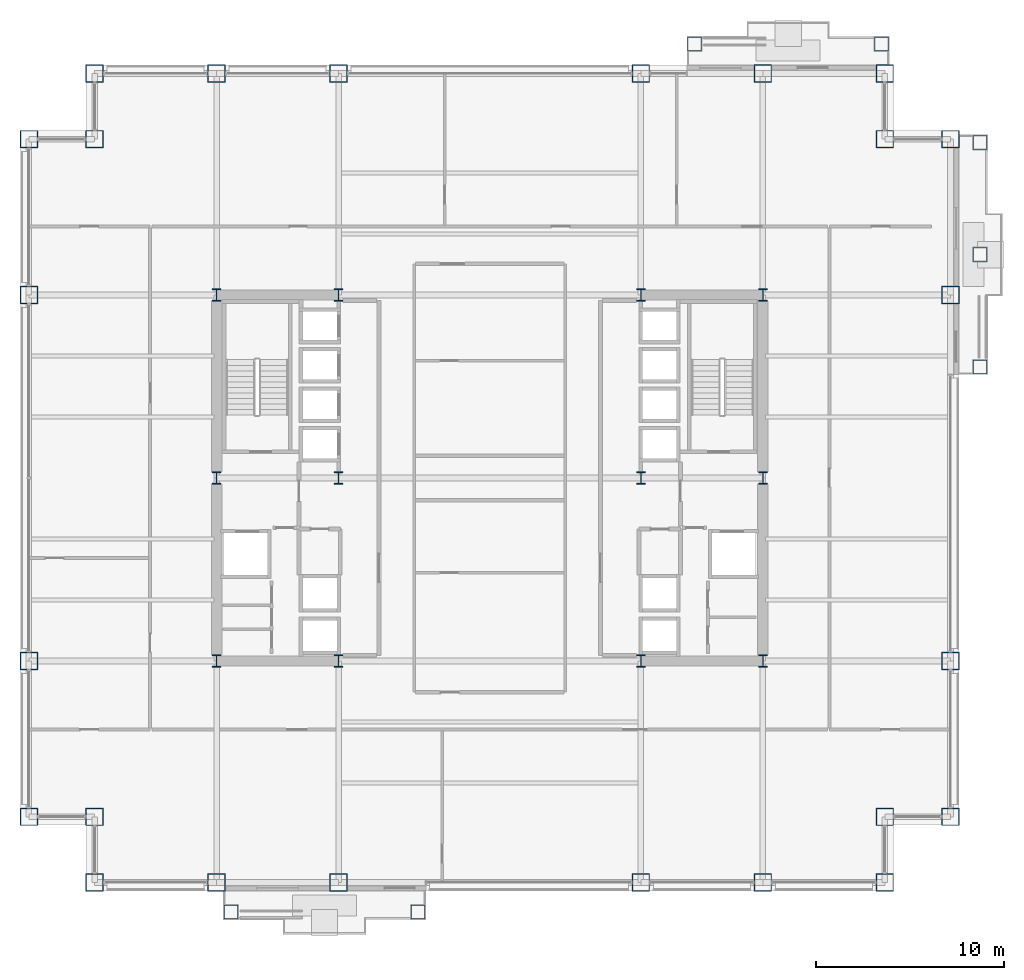
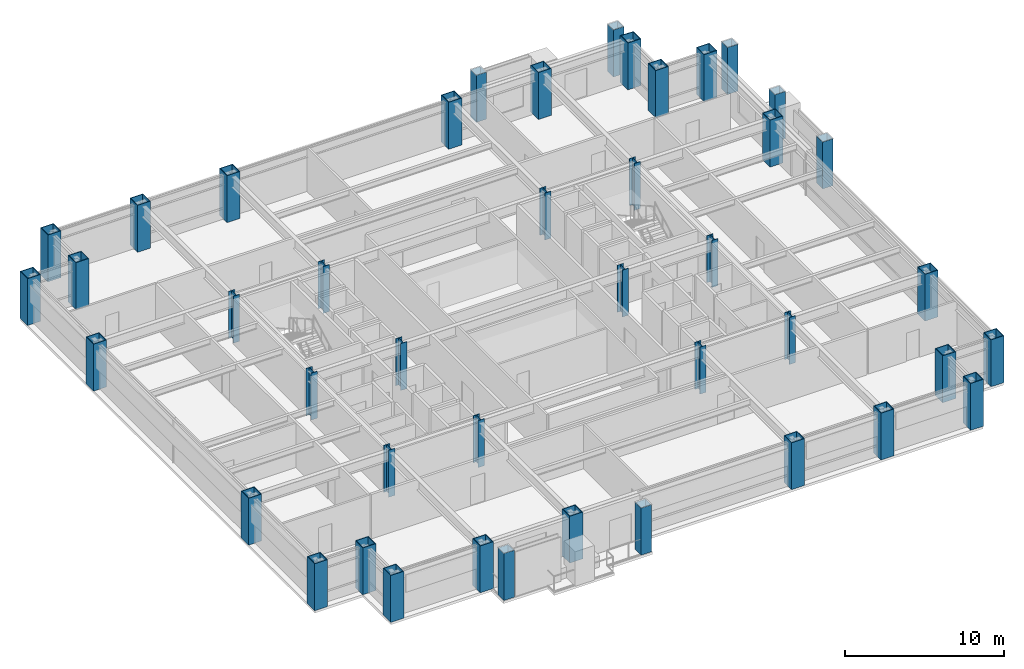
# One storey, part 1 of 31: 43 columns.
"""IFC4 building model written with IfcOpenShell, lengths in metres."""

from ifc_helpers import new_model, si_unit, direction, frame, origin, origin_2d, place, context, subcontext, project, spatial, hollow_rectangle, i_section, extrude, material, material_profile, profile_set, type_object, element, save


model = new_model("IFC4")

# Units and contexts
model_context = context("Model", 3, precision=1e-05, world=origin(), true_north=direction((0.0, 1.0)))
body_context = subcontext(model_context, "Body", "Model", "MODEL_VIEW")
ifc_project = project(units=[si_unit("LENGTHUNIT", "METRE"), si_unit("AREAUNIT", "SQUARE_METRE"), si_unit("VOLUMEUNIT", "CUBIC_METRE"), si_unit("PLANEANGLEUNIT", "RADIAN"), si_unit("MASSUNIT", "GRAM", prefix="KILO")], contexts=[model_context])

# Site, building, storey
site_placement = place(None, origin())
site = spatial("IfcSite", under=ifc_project, at=site_placement, CompositionType="ELEMENT")
building_placement = place(site_placement, origin())
building = spatial("IfcBuilding", under=site, at=building_placement, Name="Brelmoor Portico Tower", CompositionType="ELEMENT")
storey_placement = place(building_placement, frame((0.0, 0.0, 42.0)))
storey = spatial("IfcBuildingStorey", under=building, at=storey_placement, Name="L10", CompositionType="ELEMENT", Elevation=42.0)

# Columns
ifc_material_1 = material(Name="Steel Q355B", Category="steel")
ifc_material_profile_1 = material_profile(ifc_material_1, hollow_rectangle(XDim=0.75, YDim=0.75, WallThickness=0.031982421875, at=origin_2d()), Name="BOX 750x750x32")
ifc_profile_set_1 = profile_set([ifc_material_profile_1], Name="Steel Q355B")
column_type_1 = type_object("IfcColumnType", Name="COL-MEGA-750", PredefinedType="COLUMN", material=ifc_profile_set_1)
for number, where, z_axis, x_axis, name in (
    (1, (-13.780029296875, -23.1298828125, 0.0), (0.0, 0.0, 1.0), (1.0, 0.0, 0.0), "L10 Proud Picture-Frame Pier PFJ-S1"),
    (2, (-3.820068359375, -23.1298828125, 0.0), (0.0, 0.0, 1.0), (1.0, 0.0, 0.0), "L10 Proud Picture-Frame Pier PFJ-S2"),
    (3, (10.919921875, 23.1298828125, 0.0), (0.0, 0.0, 1.0), (1.0, 0.0, 0.0), "L10 Proud Picture-Frame Pier PFJ-N1"),
    (4, (20.8798828125, 23.1298828125, 0.0), (0.0, 0.0, 1.0), (1.0, 0.0, 0.0), "L10 Proud Picture-Frame Pier PFJ-N2"),
    (5, (26.1298828125, 5.919921875, 0.0), (0.0, 0.0, 1.0), (0.0, 1.0, 0.0), "L10 Proud Picture-Frame Pier PFJ-E1"),
    (6, (26.1298828125, 17.8798828125, 0.0), (0.0, 0.0, 1.0), (0.0, 1.0, 0.0), "L10 Proud Picture-Frame Pier PFJ-E2"),
    (7, (26.1298828125, 11.89990234375, 0.0), (0.0, 0.0, 1.0), (0.0, 1.0, 0.0), "L10 Proud Picture-Frame Pier PFJ-E3"),
):
    element("IfcColumn", number, at=place(storey_placement, frame(where, z_axis=z_axis, x_axis=x_axis)), inside=storey, type_object=column_type_1, Name=name, PredefinedType="COLUMN", context=body_context, shape_type="SweptSolid", body=[
        extrude(hollow_rectangle(XDim=0.75, YDim=0.75, WallThickness=0.031982421875, at=origin_2d()), origin(), (0.0, 0.0, 1.0), 3.60009765625),
    ])
ifc_material_2 = material(Name="Steel Q420B", Category="steel")
ifc_material_profile_2 = material_profile(ifc_material_2, hollow_rectangle(XDim=0.949951171875, YDim=0.949951171875, WallThickness=0.048095703125, at=origin_2d()), Name="BOX 950x950x48")
ifc_profile_set_2 = profile_set([ifc_material_profile_2], Name="Steel Q420B")
column_type_2 = type_object("IfcColumnType", Name="COL-MEGA-950", PredefinedType="COLUMN", material=ifc_profile_set_2)
for number, where, z_axis, x_axis, name in (
    (8, (-21.050048828125, -21.550048828125, 0.0), (0.0, 0.0, 1.0), (1.0, 0.0, 0.0), "L10 Perimeter Mega-Column PS01"),
    (9, (-14.550048828125, -21.550048828125, 0.0), (0.0, 0.0, 1.0), (1.0, 0.0, 0.0), "L10 Perimeter Mega-Column PS02"),
    (10, (-8.050048828125, -21.550048828125, 0.0), (0.0, 0.0, 1.0), (1.0, 0.0, 0.0), "L10 Perimeter Mega-Column PS03"),
    (11, (8.050048828125, -21.550048828125, 0.0), (0.0, 0.0, 1.0), (1.0, 0.0, 0.0), "L10 Perimeter Mega-Column PS04"),
    (12, (14.550048828125, -21.550048828125, 0.0), (0.0, 0.0, 1.0), (1.0, 0.0, 0.0), "L10 Perimeter Mega-Column PS05"),
    (13, (21.050048828125, -21.550048828125, 0.0), (0.0, 0.0, 1.0), (1.0, 0.0, 0.0), "L10 Perimeter Mega-Column PS06"),
    (14, (-21.050048828125, 21.550048828125, 0.0), (0.0, 0.0, 1.0), (1.0, 0.0, 0.0), "L10 Perimeter Mega-Column PN01"),
    (15, (-14.550048828125, 21.550048828125, 0.0), (0.0, 0.0, 1.0), (1.0, 0.0, 0.0), "L10 Perimeter Mega-Column PN02"),
    (16, (-8.050048828125, 21.550048828125, 0.0), (0.0, 0.0, 1.0), (1.0, 0.0, 0.0), "L10 Perimeter Mega-Column PN03"),
    (17, (8.050048828125, 21.550048828125, 0.0), (0.0, 0.0, 1.0), (1.0, 0.0, 0.0), "L10 Perimeter Mega-Column PN04"),
    (18, (14.550048828125, 21.550048828125, 0.0), (0.0, 0.0, 1.0), (1.0, 0.0, 0.0), "L10 Perimeter Mega-Column PN05"),
    (19, (21.050048828125, 21.550048828125, 0.0), (0.0, 0.0, 1.0), (1.0, 0.0, 0.0), "L10 Perimeter Mega-Column PN06"),
    (20, (-24.550048828125, -18.050048828125, 0.0), (0.0, 0.0, 1.0), (0.0, 1.0, 0.0), "L10 Perimeter Mega-Column PW01"),
    (21, (-24.550048828125, -9.75, 0.0), (0.0, 0.0, 1.0), (0.0, 1.0, 0.0), "L10 Perimeter Mega-Column PW02"),
    (22, (-24.550048828125, 9.75, 0.0), (0.0, 0.0, 1.0), (0.0, 1.0, 0.0), "L10 Perimeter Mega-Column PW03"),
    (23, (-24.550048828125, 18.050048828125, 0.0), (0.0, 0.0, 1.0), (0.0, 1.0, 0.0), "L10 Perimeter Mega-Column PW04"),
    (24, (24.550048828125, -18.050048828125, 0.0), (0.0, 0.0, 1.0), (0.0, 1.0, 0.0), "L10 Perimeter Mega-Column PE01"),
    (25, (24.550048828125, -9.75, 0.0), (0.0, 0.0, 1.0), (0.0, 1.0, 0.0), "L10 Perimeter Mega-Column PE02"),
    (26, (24.550048828125, 9.75, 0.0), (0.0, 0.0, 1.0), (0.0, 1.0, 0.0), "L10 Perimeter Mega-Column PE03"),
    (27, (24.550048828125, 18.050048828125, 0.0), (0.0, 0.0, 1.0), (0.0, 1.0, 0.0), "L10 Perimeter Mega-Column PE04"),
    (28, (-21.050048828125, 18.050048828125, 0.0), (0.0, 0.0, 1.0), (1.0, 0.0, 0.0), "L10 Perimeter Mega-Column PC-NW"),
    (29, (21.050048828125, 18.050048828125, 0.0), (0.0, 0.0, 1.0), (1.0, 0.0, 0.0), "L10 Perimeter Mega-Column PC-NE"),
    (30, (21.050048828125, -18.050048828125, 0.0), (0.0, 0.0, 1.0), (1.0, 0.0, 0.0), "L10 Perimeter Mega-Column PC-SE"),
    (31, (-21.050048828125, -18.050048828125, 0.0), (0.0, 0.0, 1.0), (1.0, 0.0, 0.0), "L10 Perimeter Mega-Column PC-SW"),
):
    element("IfcColumn", number, at=place(storey_placement, frame(where, z_axis=z_axis, x_axis=x_axis)), inside=storey, type_object=column_type_2, Name=name, PredefinedType="COLUMN", context=body_context, shape_type="SweptSolid", body=[
        extrude(hollow_rectangle(XDim=0.949951171875, YDim=0.949951171875, WallThickness=0.048095703125, at=origin_2d()), origin(), (0.0, 0.0, 1.0), 3.60009765625),
    ])
ifc_material_profile_3 = material_profile(ifc_material_1, i_section(OverallWidth=0.449951171875, OverallDepth=0.64990234375, WebThickness=0.02490234375, FlangeThickness=0.0400390625, at=origin_2d()), Name="HW 650x450x25x40")
ifc_profile_set_3 = profile_set([ifc_material_profile_3], Name="Steel Q355B")
column_type_3 = type_object("IfcColumnType", Name="COL-SPINE-650", PredefinedType="COLUMN", material=ifc_profile_set_3)
for number, where, z_axis, x_axis, name in (
    (32, (-14.550048828125, -9.75, 0.0), (0.0, 0.0, 1.0), (1.0, 0.0, 0.0), "L10 Core Spine Column CW-SW"),
    (33, (-14.550048828125, 0.0, 0.0), (0.0, 0.0, 1.0), (1.0, 0.0, 0.0), "L10 Core Spine Column CW-MW"),
    (34, (-14.550048828125, 9.75, 0.0), (0.0, 0.0, 1.0), (1.0, 0.0, 0.0), "L10 Core Spine Column CW-NW"),
    (35, (-8.050048828125, -9.75, 0.0), (0.0, 0.0, 1.0), (1.0, 0.0, 0.0), "L10 Core Spine Column CW-SE"),
    (36, (-8.050048828125, 0.0, 0.0), (0.0, 0.0, 1.0), (1.0, 0.0, 0.0), "L10 Core Spine Column CW-ME"),
    (37, (-8.050048828125, 9.75, 0.0), (0.0, 0.0, 1.0), (1.0, 0.0, 0.0), "L10 Core Spine Column CW-NE"),
    (38, (8.050048828125, -9.75, 0.0), (0.0, 0.0, 1.0), (1.0, 0.0, 0.0), "L10 Core Spine Column CE-SW"),
    (39, (8.050048828125, 0.0, 0.0), (0.0, 0.0, 1.0), (1.0, 0.0, 0.0), "L10 Core Spine Column CE-MW"),
    (40, (8.050048828125, 9.75, 0.0), (0.0, 0.0, 1.0), (1.0, 0.0, 0.0), "L10 Core Spine Column CE-NW"),
    (41, (14.550048828125, -9.75, 0.0), (0.0, 0.0, 1.0), (1.0, 0.0, 0.0), "L10 Core Spine Column CE-SE"),
    (42, (14.550048828125, 0.0, 0.0), (0.0, 0.0, 1.0), (1.0, 0.0, 0.0), "L10 Core Spine Column CE-ME"),
    (43, (14.550048828125, 9.75, 0.0), (0.0, 0.0, 1.0), (1.0, 0.0, 0.0), "L10 Core Spine Column CE-NE"),
):
    element("IfcColumn", number, at=place(storey_placement, frame(where, z_axis=z_axis, x_axis=x_axis)), inside=storey, type_object=column_type_3, Name=name, PredefinedType="COLUMN", context=body_context, shape_type="SweptSolid", body=[
        extrude(i_section(OverallWidth=0.449951171875, OverallDepth=0.64990234375, WebThickness=0.02490234375, FlangeThickness=0.0400390625, at=origin_2d()), origin(), (0.0, 0.0, 1.0), 3.60009765625),
    ])

save(model, "model.ifc")
